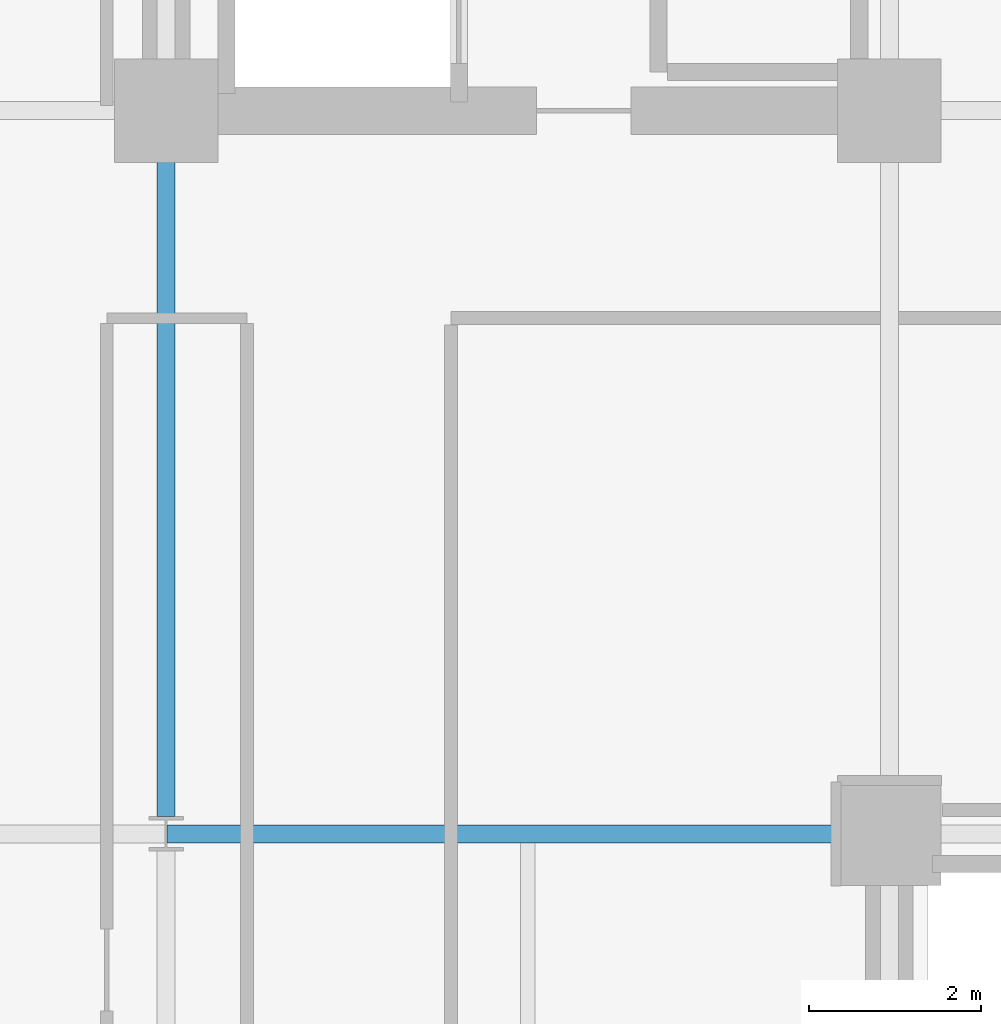
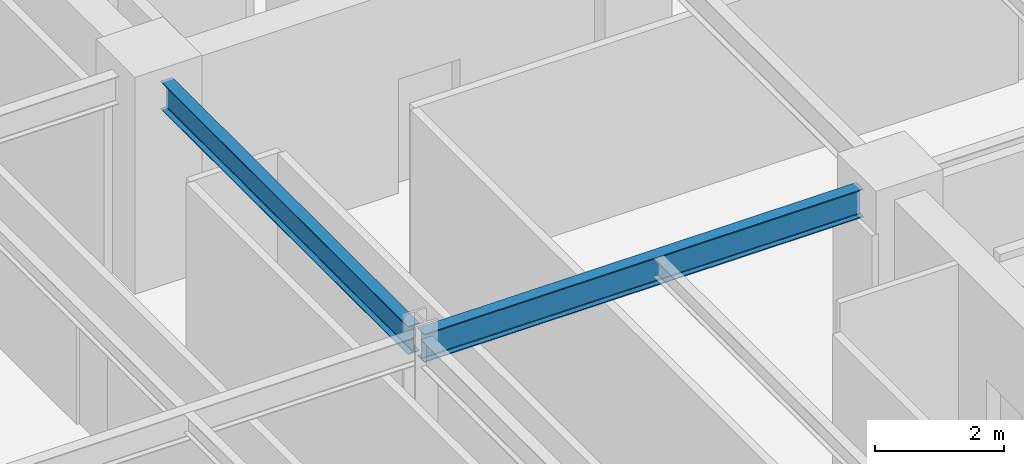
# One storey, part 9 of 30: 2 beams.
"""IFC4 building model written with IfcOpenShell, lengths in metres."""

from ifc_helpers import new_model, si_unit, direction, frame, origin, origin_2d, place, context, subcontext, project, spatial, i_section, extrude, material, material_profile, profile_set, type_object, element, save


model = new_model("IFC4")

# Units and contexts
model_context = context("Model", 3, precision=1e-05, world=origin(), true_north=direction((0.0, 1.0)))
body_context = subcontext(model_context, "Body", "Model", "MODEL_VIEW")
ifc_project = project(units=[si_unit("LENGTHUNIT", "METRE"), si_unit("AREAUNIT", "SQUARE_METRE"), si_unit("VOLUMEUNIT", "CUBIC_METRE"), si_unit("PLANEANGLEUNIT", "RADIAN"), si_unit("MASSUNIT", "GRAM", prefix="KILO")], contexts=[model_context])

# Site, building, storey
site_placement = place(None, origin())
site = spatial("IfcSite", under=ifc_project, at=site_placement, CompositionType="ELEMENT")
building_placement = place(site_placement, origin())
building = spatial("IfcBuilding", under=site, at=building_placement, Name="Nerrivon Quay Data Exchange", CompositionType="ELEMENT")
storey_placement = place(building_placement, frame((0.0, 0.0, 154.10009765625)))
storey = spatial("IfcBuildingStorey", under=building, at=storey_placement, Name="L36", CompositionType="ELEMENT", Elevation=154.10009765625)

# Beams
ifc_material = material(Name="Steel Grade 350", Category="steel")
ifc_material_profile_1 = material_profile(ifc_material, i_section(OverallWidth=0.208984375, OverallDepth=0.532958984375, WebThickness=0.01025390625, FlangeThickness=0.015625, FilletRadius=0.013916015625, at=origin_2d()), Name="530UB92.4")
ifc_profile_set_1 = profile_set([ifc_material_profile_1], Name="Steel Grade 350")
beam_type_1 = type_object("IfcBeamType", Name="BM-G3-530UB92", PredefinedType="BEAM", material=ifc_profile_set_1)
beam_1_placement = place(storey_placement, frame((8.41259765625, 16.800048828125, 3.558349609375), z_axis=(1.0, 0.0, 0.0), x_axis=(0.0, 1.0, 0.0)))
element("IfcBeam", 1, at=beam_1_placement, inside=storey, type_object=beam_type_1, Name="L36 EW Girder Y=16.8 (8.4..16.8)", PredefinedType="BEAM", context=body_context, shape_type="SweptSolid", body=[
    extrude(i_section(OverallWidth=0.208984375, OverallDepth=0.532958984375, WebThickness=0.01025390625, FlangeThickness=0.015625, FilletRadius=0.013916015625, at=origin_2d()), origin(), (0.0, 0.0, 1.0), 7.847412109375),
])
ifc_material_profile_2 = material_profile(ifc_material, i_section(OverallWidth=0.208984375, OverallDepth=0.528076171875, WebThickness=0.009521484375, FlangeThickness=0.01318359375, FilletRadius=0.013916015625, at=origin_2d()), Name="530UB82.0")
ifc_profile_set_2 = profile_set([ifc_material_profile_2], Name="Steel Grade 350")
beam_type_2 = type_object("IfcBeamType", Name="BM-G4-530UB82", PredefinedType="BEAM", material=ifc_profile_set_2)
beam_2_placement = place(storey_placement, frame((8.39990234375, 17.0, 3.560791015625), z_axis=(0.0, 1.0, 0.0), x_axis=(-1.0, 0.0, 0.0)))
element("IfcBeam", 2, at=beam_2_placement, inside=storey, type_object=beam_type_2, Name="L36 NS Girder X=8.4 (16.8..25.2)", PredefinedType="BEAM", context=body_context, shape_type="SweptSolid", body=[
    extrude(i_section(OverallWidth=0.208984375, OverallDepth=0.528076171875, WebThickness=0.009521484375, FlangeThickness=0.01318359375, FilletRadius=0.013916015625, at=origin_2d()), origin(), (0.0, 0.0, 1.0), 7.659912109375),
])

save(model, "model.ifc")
